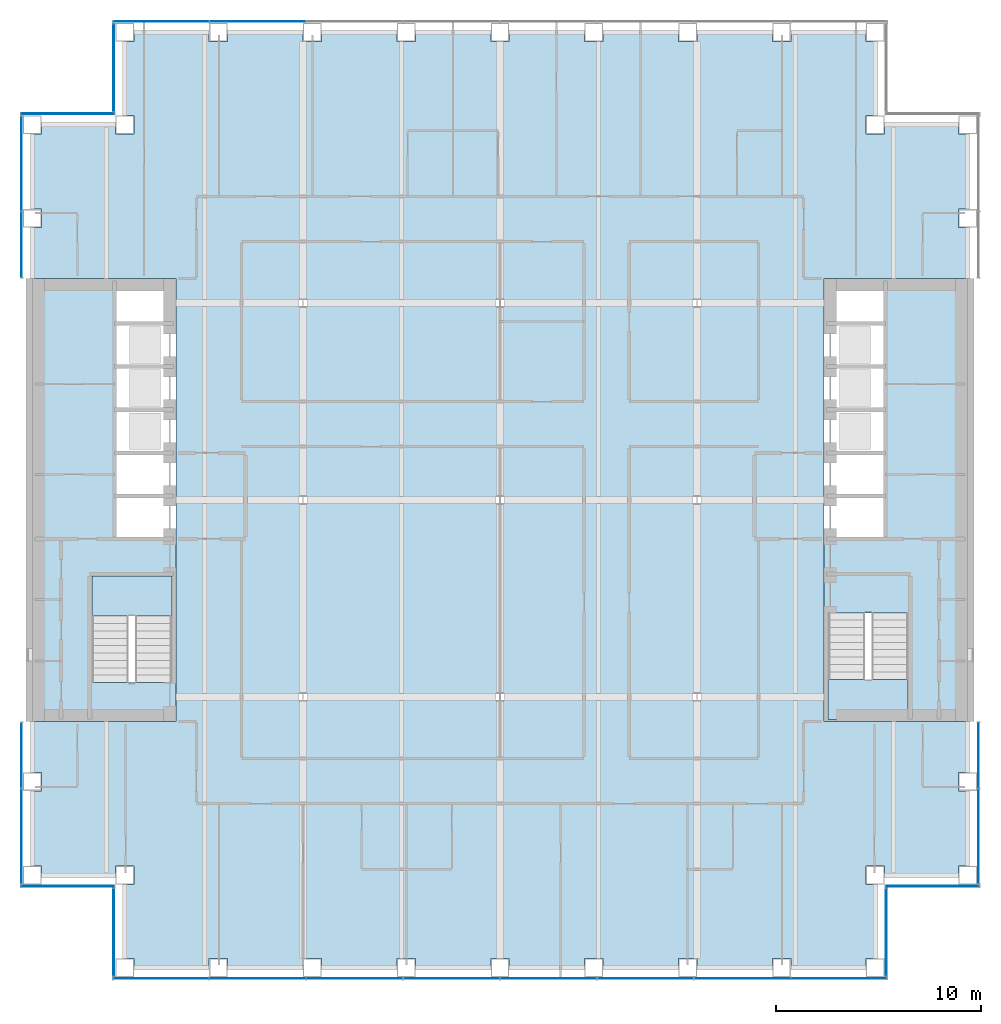
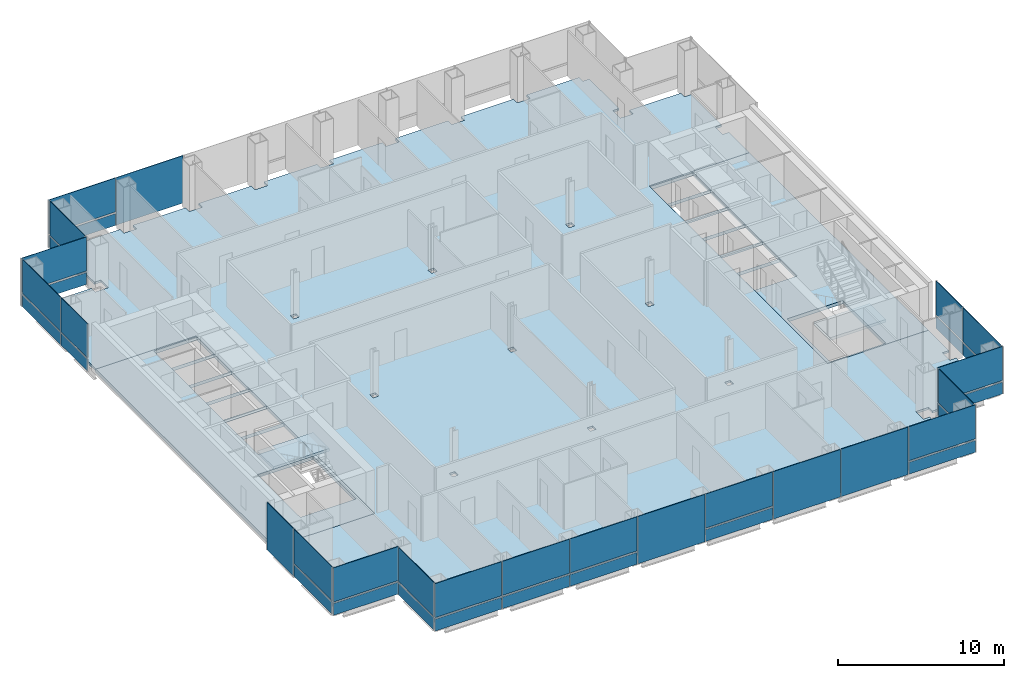
# One storey, part 9 of 16: 39 plates, 5 slabs, 13 elements without a shape of their own.
"""IFC4 building model written with IfcOpenShell, lengths in metres."""

from ifc_helpers import new_model, si_unit, direction, frame, origin, origin_2d, place, context, subcontext, project, spatial, polyline, rectangle, outline, extrude, material, layer, layer_set, type_object, element, aggregate, save


model = new_model("IFC4")

# Units and contexts
model_context = context("Model", 3, precision=1e-05, world=origin(), true_north=direction((0.0, 1.0)))
body_context = subcontext(model_context, "Body", "Model", "MODEL_VIEW")
ifc_project = project(units=[si_unit("LENGTHUNIT", "METRE"), si_unit("AREAUNIT", "SQUARE_METRE"), si_unit("VOLUMEUNIT", "CUBIC_METRE"), si_unit("PLANEANGLEUNIT", "RADIAN"), si_unit("MASSUNIT", "GRAM", prefix="KILO")], contexts=[model_context])

# Site, building, storey
site_placement = place(None, origin())
site = spatial("IfcSite", under=ifc_project, at=site_placement, CompositionType="ELEMENT")
building_placement = place(site_placement, origin())
building = spatial("IfcBuilding", under=site, at=building_placement, Name="Cobrizo Arcos Hotel Tower", CompositionType="ELEMENT")
storey_placement = place(building_placement, frame((0.0, 0.0, 113.5)))
storey = spatial("IfcBuildingStorey", under=building, at=storey_placement, Name="L28", CompositionType="ELEMENT", Elevation=113.5)

# Curtain wall, plates
ifc_material_1 = material(Name="Aluminium 6063-T6 anodised bronze", Category="aluminium")
curtain_wall_type = type_object("IfcCurtainWallType", Name="CW-A guest facade", PredefinedType="NOTDEFINED", material=ifc_material_1)
curtain_wall_1_placement = place(storey_placement, origin())
curtain_wall_1 = element("IfcCurtainWall", 1, at=curtain_wall_1_placement, inside=storey, type_object=curtain_wall_type, Name="CW-A L28 S face", PredefinedType="NOTDEFINED")
ifc_material_2 = material(Name="Glass clear laminated low-e", Category="glass")
ifc_layer_1 = layer(ifc_material_2, 0.0400390625)
ifc_layer_set_1 = layer_set([ifc_layer_1], Name="CW-A glass panel")
plate_type_1 = type_object("IfcPlateType", Name="CW-A glass panel", PredefinedType="CURTAIN_PANEL", material=ifc_layer_set_1)
plate_1_placement = place(storey_placement, frame((-16.5224609375, -23.324951171875, 0.990234375), z_axis=(0.0, 0.0, 1.0), x_axis=(1.0, 0.0, 0.0)))
plate_1 = element("IfcPlate", 2, at=plate_1_placement, type_object=plate_type_1, Name="CW-A glass panel 1075", PredefinedType="CURTAIN_PANEL", context=body_context, shape_type="SweptSolid", body=[
    extrude(rectangle(XDim=4.635009765625, YDim=0.0400390625, at=origin_2d()), origin(), (0.0, 0.0, 1.0), 2.510009765625),
])
plate_2_placement = place(storey_placement, frame((-11.8125, -23.324951171875, 0.990234375), z_axis=(0.0, 0.0, 1.0), x_axis=(1.0, 0.0, 0.0)))
plate_2 = element("IfcPlate", 3, at=plate_2_placement, type_object=plate_type_1, Name="CW-A glass panel 1076", PredefinedType="CURTAIN_PANEL", context=body_context, shape_type="SweptSolid", body=[
    extrude(rectangle(XDim=4.6650390625, YDim=0.0400390625, at=origin_2d()), origin(), (0.0, 0.0, 1.0), 2.510009765625),
])
plate_3_placement = place(storey_placement, frame((-7.08740234375, -23.324951171875, 0.990234375), z_axis=(0.0, 0.0, 1.0), x_axis=(1.0, 0.0, 0.0)))
plate_3 = element("IfcPlate", 4, at=plate_3_placement, type_object=plate_type_1, Name="CW-A glass panel 1077", PredefinedType="CURTAIN_PANEL", context=body_context, shape_type="SweptSolid", body=[
    extrude(rectangle(XDim=4.6650390625, YDim=0.0400390625, at=origin_2d()), origin(), (0.0, 0.0, 1.0), 2.510009765625),
])
plate_4_placement = place(storey_placement, frame((2.362548828125, -23.324951171875, 0.990234375), z_axis=(0.0, 0.0, 1.0), x_axis=(1.0, 0.0, 0.0)))
plate_4 = element("IfcPlate", 5, at=plate_4_placement, type_object=plate_type_1, Name="CW-A glass panel 1079", PredefinedType="CURTAIN_PANEL", context=body_context, shape_type="SweptSolid", body=[
    extrude(rectangle(XDim=4.6650390625, YDim=0.0400390625, at=origin_2d()), origin(), (0.0, 0.0, 1.0), 2.510009765625),
])
plate_5_placement = place(storey_placement, frame((16.5224609375, -23.324951171875, 0.990234375), z_axis=(0.0, 0.0, 1.0), x_axis=(1.0, 0.0, 0.0)))
plate_5 = element("IfcPlate", 6, at=plate_5_placement, type_object=plate_type_1, Name="CW-A glass panel 1082", PredefinedType="CURTAIN_PANEL", context=body_context, shape_type="SweptSolid", body=[
    extrude(rectangle(XDim=4.635009765625, YDim=0.0400390625, at=origin_2d()), origin(), (0.0, 0.0, 1.0), 2.510009765625),
])

# Curtain wall, plate
curtain_wall_2_placement = place(storey_placement, origin())
curtain_wall_2 = element("IfcCurtainWall", 7, at=curtain_wall_2_placement, inside=storey, type_object=curtain_wall_type, Name="CW-A L28 E face", PredefinedType="NOTDEFINED")
plate_6_placement = place(storey_placement, frame((18.824951171875, -21.074951171875, 0.990234375), z_axis=(0.0, 0.0, 1.0), x_axis=(0.0, 1.0, 0.0)))
plate_6 = element("IfcPlate", 8, at=plate_6_placement, type_object=plate_type_1, Name="CW-A glass panel 1083", PredefinedType="CURTAIN_PANEL", context=body_context, shape_type="SweptSolid", body=[
    extrude(rectangle(XDim=4.22998046875, YDim=0.0400390625, at=origin_2d()), origin(), (0.0, 0.0, 1.0), 2.510009765625),
])

curtain_wall_3_placement = place(storey_placement, origin())
curtain_wall_3 = element("IfcCurtainWall", 9, at=curtain_wall_3_placement, inside=storey, type_object=curtain_wall_type, Name="CW-A L28 S face", PredefinedType="NOTDEFINED")
plate_7_placement = place(storey_placement, frame((21.074951171875, -18.824951171875, 0.990234375), z_axis=(0.0, 0.0, 1.0), x_axis=(1.0, 0.0, 0.0)))
plate_7 = element("IfcPlate", 10, at=plate_7_placement, type_object=plate_type_1, Name="CW-A glass panel 1084", PredefinedType="CURTAIN_PANEL", context=body_context, shape_type="SweptSolid", body=[
    extrude(rectangle(XDim=4.530029296875, YDim=0.0400390625, at=origin_2d()), origin(), (0.0, 0.0, 1.0), 2.510009765625),
])

# Curtain wall, plates
curtain_wall_4_placement = place(storey_placement, origin())
curtain_wall_4 = element("IfcCurtainWall", 11, at=curtain_wall_4_placement, inside=storey, type_object=curtain_wall_type, Name="CW-A L28 E face", PredefinedType="NOTDEFINED")
plate_8_placement = place(storey_placement, frame((23.324951171875, -16.391357421875, 0.990234375), z_axis=(0.0, 0.0, 1.0), x_axis=(0.0, 1.0, 0.0)))
plate_8 = element("IfcPlate", 12, at=plate_8_placement, type_object=plate_type_1, Name="CW-A glass panel 1085", PredefinedType="CURTAIN_PANEL", context=body_context, shape_type="SweptSolid", body=[
    extrude(rectangle(XDim=4.597412109375, YDim=0.0400390625, at=origin_2d()), origin(), (0.0, 0.0, 1.0), 2.510009765625),
])
plate_9_placement = place(storey_placement, frame((23.324951171875, -12.4462890625, 0.990234375), z_axis=(0.0, 0.0, 1.0), x_axis=(0.0, 1.0, 0.0)))
plate_9 = element("IfcPlate", 13, at=plate_9_placement, type_object=plate_type_1, Name="CW-A glass panel 1086", PredefinedType="CURTAIN_PANEL", context=body_context, shape_type="SweptSolid", body=[
    extrude(rectangle(XDim=3.172607421875, YDim=0.0400390625, at=origin_2d()), origin(), (0.0, 0.0, 1.0), 2.510009765625),
])

# Curtain wall, plate
curtain_wall_5_placement = place(storey_placement, origin())
curtain_wall_5 = element("IfcCurtainWall", 14, at=curtain_wall_5_placement, inside=storey, type_object=curtain_wall_type, Name="CW-A L28 N face", PredefinedType="NOTDEFINED")
plate_10_placement = place(storey_placement, frame((-16.5224609375, 23.324951171875, 0.990234375), z_axis=(0.0, 0.0, 1.0), x_axis=(-1.0, 0.0, 0.0)))
plate_10 = element("IfcPlate", 15, at=plate_10_placement, type_object=plate_type_1, Name="CW-A glass panel 1098", PredefinedType="CURTAIN_PANEL", context=body_context, shape_type="SweptSolid", body=[
    extrude(rectangle(XDim=4.635009765625, YDim=0.0400390625, at=origin_2d()), origin(), (0.0, 0.0, 1.0), 2.510009765625),
])

curtain_wall_6_placement = place(storey_placement, origin())
curtain_wall_6 = element("IfcCurtainWall", 16, at=curtain_wall_6_placement, inside=storey, type_object=curtain_wall_type, Name="CW-A L28 W face", PredefinedType="NOTDEFINED")
plate_11_placement = place(storey_placement, frame((-18.824951171875, 21.074951171875, 0.990234375), z_axis=(0.0, 0.0, 1.0), x_axis=(0.0, -1.0, 0.0)))
plate_11 = element("IfcPlate", 17, at=plate_11_placement, type_object=plate_type_1, Name="CW-A glass panel 1099", PredefinedType="CURTAIN_PANEL", context=body_context, shape_type="SweptSolid", body=[
    extrude(rectangle(XDim=4.22998046875, YDim=0.0400390625, at=origin_2d()), origin(), (0.0, 0.0, 1.0), 2.510009765625),
])

curtain_wall_7_placement = place(storey_placement, origin())
curtain_wall_7 = element("IfcCurtainWall", 18, at=curtain_wall_7_placement, inside=storey, type_object=curtain_wall_type, Name="CW-A L28 N face", PredefinedType="NOTDEFINED")
plate_12_placement = place(storey_placement, frame((-21.074951171875, 18.824951171875, 0.990234375), z_axis=(0.0, 0.0, 1.0), x_axis=(-1.0, 0.0, 0.0)))
plate_12 = element("IfcPlate", 19, at=plate_12_placement, type_object=plate_type_1, Name="CW-A glass panel 1100", PredefinedType="CURTAIN_PANEL", context=body_context, shape_type="SweptSolid", body=[
    extrude(rectangle(XDim=4.530029296875, YDim=0.0400390625, at=origin_2d()), origin(), (0.0, 0.0, 1.0), 2.510009765625),
])

# Curtain wall, plates
curtain_wall_8_placement = place(storey_placement, origin())
curtain_wall_8 = element("IfcCurtainWall", 20, at=curtain_wall_8_placement, inside=storey, type_object=curtain_wall_type, Name="CW-A L28 W face", PredefinedType="NOTDEFINED")
plate_13_placement = place(storey_placement, frame((-23.324951171875, 16.391357421875, 0.990234375), z_axis=(0.0, 0.0, 1.0), x_axis=(0.0, -1.0, 0.0)))
plate_13 = element("IfcPlate", 21, at=plate_13_placement, type_object=plate_type_1, Name="CW-A glass panel 1101", PredefinedType="CURTAIN_PANEL", context=body_context, shape_type="SweptSolid", body=[
    extrude(rectangle(XDim=4.597412109375, YDim=0.0400390625, at=origin_2d()), origin(), (0.0, 0.0, 1.0), 2.510009765625),
])
plate_14_placement = place(storey_placement, frame((-23.324951171875, 12.4462890625, 0.990234375), z_axis=(0.0, 0.0, 1.0), x_axis=(0.0, -1.0, 0.0)))
plate_14 = element("IfcPlate", 22, at=plate_14_placement, type_object=plate_type_1, Name="CW-A glass panel 1102", PredefinedType="CURTAIN_PANEL", context=body_context, shape_type="SweptSolid", body=[
    extrude(rectangle(XDim=3.172607421875, YDim=0.0400390625, at=origin_2d()), origin(), (0.0, 0.0, 1.0), 2.510009765625),
])

# Curtain wall, plate
curtain_wall_9_placement = place(storey_placement, origin())
curtain_wall_9 = element("IfcCurtainWall", 23, at=curtain_wall_9_placement, inside=storey, type_object=curtain_wall_type, Name="CW-A L28 W face", PredefinedType="NOTDEFINED")
plate_15_placement = place(storey_placement, frame((-23.324951171875, -16.391357421875, 0.990234375), z_axis=(0.0, 0.0, 1.0), x_axis=(0.0, -1.0, 0.0)))
plate_15 = element("IfcPlate", 24, at=plate_15_placement, type_object=plate_type_1, Name="CW-A glass panel 1104", PredefinedType="CURTAIN_PANEL", context=body_context, shape_type="SweptSolid", body=[
    extrude(rectangle(XDim=4.597412109375, YDim=0.0400390625, at=origin_2d()), origin(), (0.0, 0.0, 1.0), 2.510009765625),
])

curtain_wall_10_placement = place(storey_placement, origin())
curtain_wall_10 = element("IfcCurtainWall", 25, at=curtain_wall_10_placement, inside=storey, type_object=curtain_wall_type, Name="CW-A L28 S face", PredefinedType="NOTDEFINED")
plate_16_placement = place(storey_placement, frame((-21.074951171875, -18.824951171875, 0.990234375), z_axis=(0.0, 0.0, 1.0), x_axis=(1.0, 0.0, 0.0)))
plate_16 = element("IfcPlate", 26, at=plate_16_placement, type_object=plate_type_1, Name="CW-A glass panel 1105", PredefinedType="CURTAIN_PANEL", context=body_context, shape_type="SweptSolid", body=[
    extrude(rectangle(XDim=4.530029296875, YDim=0.0400390625, at=origin_2d()), origin(), (0.0, 0.0, 1.0), 2.510009765625),
])

curtain_wall_11_placement = place(storey_placement, origin())
curtain_wall_11 = element("IfcCurtainWall", 27, at=curtain_wall_11_placement, inside=storey, type_object=curtain_wall_type, Name="CW-A L28 W face", PredefinedType="NOTDEFINED")
plate_17_placement = place(storey_placement, frame((-18.824951171875, -21.074951171875, 0.990234375), z_axis=(0.0, 0.0, 1.0), x_axis=(0.0, -1.0, 0.0)))
plate_17 = element("IfcPlate", 28, at=plate_17_placement, type_object=plate_type_1, Name="CW-A glass panel 1106", PredefinedType="CURTAIN_PANEL", context=body_context, shape_type="SweptSolid", body=[
    extrude(rectangle(XDim=4.22998046875, YDim=0.0400390625, at=origin_2d()), origin(), (0.0, 0.0, 1.0), 2.510009765625),
])

# Plate
ifc_material_3 = material(Name="Aluminium composite panel pale metal", Category="aluminium")
ifc_layer_2 = layer(ifc_material_3, 0.0400390625)
ifc_layer_set_2 = layer_set([ifc_layer_2], Name="CW-A spandrel panel")
plate_type_2 = type_object("IfcPlateType", Name="CW-A spandrel panel", PredefinedType="CURTAIN_PANEL", material=ifc_layer_set_2)
plate_18_placement = place(storey_placement, frame((-16.5224609375, -23.324951171875, 0.0), z_axis=(0.0, 0.0, 1.0), x_axis=(1.0, 0.0, 0.0)))
plate_18 = element("IfcPlate", 29, at=plate_18_placement, type_object=plate_type_2, Name="CW-A spandrel panel 1075", PredefinedType="CURTAIN_PANEL", context=body_context, shape_type="SweptSolid", body=[
    extrude(rectangle(XDim=4.635009765625, YDim=0.0400390625, at=origin_2d()), origin(), (0.0, 0.0, 1.0), 0.8701171875),
])

plate_19_placement = place(storey_placement, frame((-11.8125, -23.324951171875, 0.0), z_axis=(0.0, 0.0, 1.0), x_axis=(1.0, 0.0, 0.0)))
plate_19 = element("IfcPlate", 30, at=plate_19_placement, type_object=plate_type_2, Name="CW-A spandrel panel 1076", PredefinedType="CURTAIN_PANEL", context=body_context, shape_type="SweptSolid", body=[
    extrude(rectangle(XDim=4.6650390625, YDim=0.0400390625, at=origin_2d()), origin(), (0.0, 0.0, 1.0), 0.8701171875),
])

plate_20_placement = place(storey_placement, frame((-7.08740234375, -23.324951171875, 0.0), z_axis=(0.0, 0.0, 1.0), x_axis=(1.0, 0.0, 0.0)))
plate_20 = element("IfcPlate", 31, at=plate_20_placement, type_object=plate_type_2, Name="CW-A spandrel panel 1077", PredefinedType="CURTAIN_PANEL", context=body_context, shape_type="SweptSolid", body=[
    extrude(rectangle(XDim=4.6650390625, YDim=0.0400390625, at=origin_2d()), origin(), (0.0, 0.0, 1.0), 0.8701171875),
])

plate_21_placement = place(storey_placement, frame((-2.362548828125, -23.324951171875, 0.0), z_axis=(0.0, 0.0, 1.0), x_axis=(1.0, 0.0, 0.0)))
plate_21 = element("IfcPlate", 32, at=plate_21_placement, type_object=plate_type_2, Name="CW-A spandrel panel 1078", PredefinedType="CURTAIN_PANEL", context=body_context, shape_type="SweptSolid", body=[
    extrude(rectangle(XDim=4.6650390625, YDim=0.0400390625, at=origin_2d()), origin(), (0.0, 0.0, 1.0), 3.5),
])

plate_22_placement = place(storey_placement, frame((2.362548828125, -23.324951171875, 0.0), z_axis=(0.0, 0.0, 1.0), x_axis=(1.0, 0.0, 0.0)))
plate_22 = element("IfcPlate", 33, at=plate_22_placement, type_object=plate_type_2, Name="CW-A spandrel panel 1079", PredefinedType="CURTAIN_PANEL", context=body_context, shape_type="SweptSolid", body=[
    extrude(rectangle(XDim=4.6650390625, YDim=0.0400390625, at=origin_2d()), origin(), (0.0, 0.0, 1.0), 0.8701171875),
])

plate_23_placement = place(storey_placement, frame((7.08740234375, -23.324951171875, 0.0), z_axis=(0.0, 0.0, 1.0), x_axis=(1.0, 0.0, 0.0)))
plate_23 = element("IfcPlate", 34, at=plate_23_placement, type_object=plate_type_2, Name="CW-A spandrel panel 1080", PredefinedType="CURTAIN_PANEL", context=body_context, shape_type="SweptSolid", body=[
    extrude(rectangle(XDim=4.6650390625, YDim=0.0400390625, at=origin_2d()), origin(), (0.0, 0.0, 1.0), 3.5),
])

plate_24_placement = place(storey_placement, frame((11.8125, -23.324951171875, 0.0), z_axis=(0.0, 0.0, 1.0), x_axis=(1.0, 0.0, 0.0)))
plate_24 = element("IfcPlate", 35, at=plate_24_placement, type_object=plate_type_2, Name="CW-A spandrel panel 1081", PredefinedType="CURTAIN_PANEL", context=body_context, shape_type="SweptSolid", body=[
    extrude(rectangle(XDim=4.6650390625, YDim=0.0400390625, at=origin_2d()), origin(), (0.0, 0.0, 1.0), 3.5),
])

plate_25_placement = place(storey_placement, frame((16.5224609375, -23.324951171875, 0.0), z_axis=(0.0, 0.0, 1.0), x_axis=(1.0, 0.0, 0.0)))
plate_25 = element("IfcPlate", 36, at=plate_25_placement, type_object=plate_type_2, Name="CW-A spandrel panel 1082", PredefinedType="CURTAIN_PANEL", context=body_context, shape_type="SweptSolid", body=[
    extrude(rectangle(XDim=4.635009765625, YDim=0.0400390625, at=origin_2d()), origin(), (0.0, 0.0, 1.0), 0.8701171875),
])

aggregate(curtain_wall_1, [plate_18, plate_1, plate_19, plate_2, plate_20, plate_3, plate_21, plate_22, plate_4, plate_23, plate_24, plate_25, plate_5])

plate_26_placement = place(storey_placement, frame((18.824951171875, -21.074951171875, 0.0), z_axis=(0.0, 0.0, 1.0), x_axis=(0.0, 1.0, 0.0)))
plate_26 = element("IfcPlate", 37, at=plate_26_placement, type_object=plate_type_2, Name="CW-A spandrel panel 1083", PredefinedType="CURTAIN_PANEL", context=body_context, shape_type="SweptSolid", body=[
    extrude(rectangle(XDim=4.22998046875, YDim=0.0400390625, at=origin_2d()), origin(), (0.0, 0.0, 1.0), 0.8701171875),
])

aggregate(curtain_wall_2, [plate_26, plate_6])

plate_27_placement = place(storey_placement, frame((21.074951171875, -18.824951171875, 0.0), z_axis=(0.0, 0.0, 1.0), x_axis=(1.0, 0.0, 0.0)))
plate_27 = element("IfcPlate", 38, at=plate_27_placement, type_object=plate_type_2, Name="CW-A spandrel panel 1084", PredefinedType="CURTAIN_PANEL", context=body_context, shape_type="SweptSolid", body=[
    extrude(rectangle(XDim=4.530029296875, YDim=0.0400390625, at=origin_2d()), origin(), (0.0, 0.0, 1.0), 0.8701171875),
])

aggregate(curtain_wall_3, [plate_27, plate_7])

plate_28_placement = place(storey_placement, frame((23.324951171875, -16.391357421875, 0.0), z_axis=(0.0, 0.0, 1.0), x_axis=(0.0, 1.0, 0.0)))
plate_28 = element("IfcPlate", 39, at=plate_28_placement, type_object=plate_type_2, Name="CW-A spandrel panel 1085", PredefinedType="CURTAIN_PANEL", context=body_context, shape_type="SweptSolid", body=[
    extrude(rectangle(XDim=4.597412109375, YDim=0.0400390625, at=origin_2d()), origin(), (0.0, 0.0, 1.0), 0.8701171875),
])

plate_29_placement = place(storey_placement, frame((23.324951171875, -12.4462890625, 0.0), z_axis=(0.0, 0.0, 1.0), x_axis=(0.0, 1.0, 0.0)))
plate_29 = element("IfcPlate", 40, at=plate_29_placement, type_object=plate_type_2, Name="CW-A spandrel panel 1086", PredefinedType="CURTAIN_PANEL", context=body_context, shape_type="SweptSolid", body=[
    extrude(rectangle(XDim=3.172607421875, YDim=0.0400390625, at=origin_2d()), origin(), (0.0, 0.0, 1.0), 0.8701171875),
])

aggregate(curtain_wall_4, [plate_28, plate_8, plate_29, plate_9])

plate_30_placement = place(storey_placement, frame((-11.8125, 23.324951171875, 0.0), z_axis=(0.0, 0.0, 1.0), x_axis=(-1.0, 0.0, 0.0)))
plate_30 = element("IfcPlate", 41, at=plate_30_placement, type_object=plate_type_2, Name="CW-A spandrel panel 1097", PredefinedType="CURTAIN_PANEL", context=body_context, shape_type="SweptSolid", body=[
    extrude(rectangle(XDim=4.6650390625, YDim=0.0400390625, at=origin_2d()), origin(), (0.0, 0.0, 1.0), 3.5),
])

plate_31_placement = place(storey_placement, frame((-16.5224609375, 23.324951171875, 0.0), z_axis=(0.0, 0.0, 1.0), x_axis=(-1.0, 0.0, 0.0)))
plate_31 = element("IfcPlate", 42, at=plate_31_placement, type_object=plate_type_2, Name="CW-A spandrel panel 1098", PredefinedType="CURTAIN_PANEL", context=body_context, shape_type="SweptSolid", body=[
    extrude(rectangle(XDim=4.635009765625, YDim=0.0400390625, at=origin_2d()), origin(), (0.0, 0.0, 1.0), 0.8701171875),
])

aggregate(curtain_wall_5, [plate_30, plate_31, plate_10])

plate_32_placement = place(storey_placement, frame((-18.824951171875, 21.074951171875, 0.0), z_axis=(0.0, 0.0, 1.0), x_axis=(0.0, -1.0, 0.0)))
plate_32 = element("IfcPlate", 43, at=plate_32_placement, type_object=plate_type_2, Name="CW-A spandrel panel 1099", PredefinedType="CURTAIN_PANEL", context=body_context, shape_type="SweptSolid", body=[
    extrude(rectangle(XDim=4.22998046875, YDim=0.0400390625, at=origin_2d()), origin(), (0.0, 0.0, 1.0), 0.8701171875),
])

aggregate(curtain_wall_6, [plate_32, plate_11])

plate_33_placement = place(storey_placement, frame((-21.074951171875, 18.824951171875, 0.0), z_axis=(0.0, 0.0, 1.0), x_axis=(-1.0, 0.0, 0.0)))
plate_33 = element("IfcPlate", 44, at=plate_33_placement, type_object=plate_type_2, Name="CW-A spandrel panel 1100", PredefinedType="CURTAIN_PANEL", context=body_context, shape_type="SweptSolid", body=[
    extrude(rectangle(XDim=4.530029296875, YDim=0.0400390625, at=origin_2d()), origin(), (0.0, 0.0, 1.0), 0.8701171875),
])

aggregate(curtain_wall_7, [plate_33, plate_12])

plate_34_placement = place(storey_placement, frame((-23.324951171875, 16.391357421875, 0.0), z_axis=(0.0, 0.0, 1.0), x_axis=(0.0, -1.0, 0.0)))
plate_34 = element("IfcPlate", 45, at=plate_34_placement, type_object=plate_type_2, Name="CW-A spandrel panel 1101", PredefinedType="CURTAIN_PANEL", context=body_context, shape_type="SweptSolid", body=[
    extrude(rectangle(XDim=4.597412109375, YDim=0.0400390625, at=origin_2d()), origin(), (0.0, 0.0, 1.0), 0.8701171875),
])

plate_35_placement = place(storey_placement, frame((-23.324951171875, 12.4462890625, 0.0), z_axis=(0.0, 0.0, 1.0), x_axis=(0.0, -1.0, 0.0)))
plate_35 = element("IfcPlate", 46, at=plate_35_placement, type_object=plate_type_2, Name="CW-A spandrel panel 1102", PredefinedType="CURTAIN_PANEL", context=body_context, shape_type="SweptSolid", body=[
    extrude(rectangle(XDim=3.172607421875, YDim=0.0400390625, at=origin_2d()), origin(), (0.0, 0.0, 1.0), 0.8701171875),
])

aggregate(curtain_wall_8, [plate_34, plate_13, plate_35, plate_14])

plate_36_placement = place(storey_placement, frame((-23.324951171875, -12.4462890625, 0.0), z_axis=(0.0, 0.0, 1.0), x_axis=(0.0, -1.0, 0.0)))
plate_36 = element("IfcPlate", 47, at=plate_36_placement, type_object=plate_type_2, Name="CW-A spandrel panel 1103", PredefinedType="CURTAIN_PANEL", context=body_context, shape_type="SweptSolid", body=[
    extrude(rectangle(XDim=3.172607421875, YDim=0.0400390625, at=origin_2d()), origin(), (0.0, 0.0, 1.0), 3.5),
])

plate_37_placement = place(storey_placement, frame((-23.324951171875, -16.391357421875, 0.0), z_axis=(0.0, 0.0, 1.0), x_axis=(0.0, -1.0, 0.0)))
plate_37 = element("IfcPlate", 48, at=plate_37_placement, type_object=plate_type_2, Name="CW-A spandrel panel 1104", PredefinedType="CURTAIN_PANEL", context=body_context, shape_type="SweptSolid", body=[
    extrude(rectangle(XDim=4.597412109375, YDim=0.0400390625, at=origin_2d()), origin(), (0.0, 0.0, 1.0), 0.8701171875),
])

aggregate(curtain_wall_9, [plate_36, plate_37, plate_15])

plate_38_placement = place(storey_placement, frame((-21.074951171875, -18.824951171875, 0.0), z_axis=(0.0, 0.0, 1.0), x_axis=(1.0, 0.0, 0.0)))
plate_38 = element("IfcPlate", 49, at=plate_38_placement, type_object=plate_type_2, Name="CW-A spandrel panel 1105", PredefinedType="CURTAIN_PANEL", context=body_context, shape_type="SweptSolid", body=[
    extrude(rectangle(XDim=4.530029296875, YDim=0.0400390625, at=origin_2d()), origin(), (0.0, 0.0, 1.0), 0.8701171875),
])

aggregate(curtain_wall_10, [plate_38, plate_16])

plate_39_placement = place(storey_placement, frame((-18.824951171875, -21.074951171875, 0.0), z_axis=(0.0, 0.0, 1.0), x_axis=(0.0, -1.0, 0.0)))
plate_39 = element("IfcPlate", 50, at=plate_39_placement, type_object=plate_type_2, Name="CW-A spandrel panel 1106", PredefinedType="CURTAIN_PANEL", context=body_context, shape_type="SweptSolid", body=[
    extrude(rectangle(XDim=4.22998046875, YDim=0.0400390625, at=origin_2d()), origin(), (0.0, 0.0, 1.0), 0.8701171875),
])

aggregate(curtain_wall_11, [plate_39, plate_17])

# Slabs
ifc_material_4 = material(Name="Concrete f'c 35 MPa", Category="concrete")
ifc_layer_3 = layer(ifc_material_4, 0.14990234375)
ifc_layer_set_3 = layer_set([ifc_layer_3], Name="Composite floor slab 150 f'c 35")
slab_type_1 = type_object("IfcSlabType", Name="Composite floor slab 150 f'c 35", PredefinedType="FLOOR", material=ifc_layer_set_3)
slab_1_placement = place(storey_placement, frame((0.0, 0.0, -0.14990234375)))
element("IfcSlab", 51, at=slab_1_placement, inside=storey, type_object=slab_type_1, Name="Floor slab S5, L28, no. 01", PredefinedType="FLOOR", context=body_context, shape_type="SweptSolid", body=[
    extrude(outline(polyline([(-17.85009765625, -22.800048828125), (-17.85009765625, -22.35009765625), (-18.300048828125, -22.35009765625), (-18.300048828125, -18.75), (-17.85009765625, -18.75), (-17.85009765625, -17.85009765625), (-18.75, -17.85009765625), (-18.75, -18.300048828125), (-22.35009765625, -18.300048828125), (-22.35009765625, -17.85009765625), (-22.800048828125, -17.85009765625), (-22.800048828125, -14.175048828125), (-22.35009765625, -14.175048828125), (-22.35009765625, -13.27490234375), (-22.800048828125, -13.27490234375), (-22.800048828125, -10.800048828125), (-15.800048828125, -10.800048828125), (-15.800048828125, 10.800048828125), (-22.800048828125, 10.800048828125), (-22.800048828125, 13.27490234375), (-22.35009765625, 13.27490234375), (-22.35009765625, 14.175048828125), (-22.800048828125, 14.175048828125), (-22.800048828125, 17.85009765625), (-22.35009765625, 17.85009765625), (-22.35009765625, 18.300048828125), (-18.75, 18.300048828125), (-18.75, 17.85009765625), (-17.85009765625, 17.85009765625), (-17.85009765625, 18.75), (-18.300048828125, 18.75), (-18.300048828125, 22.35009765625), (-17.85009765625, 22.35009765625), (-17.85009765625, 22.800048828125), (-14.175048828125, 22.800048828125), (-14.175048828125, 22.35009765625), (-13.27490234375, 22.35009765625), (-13.27490234375, 22.800048828125), (-9.60009765625, 22.800048828125), (-9.60009765625, 22.35009765625), (-8.699951171875, 22.35009765625), (-8.699951171875, 22.800048828125), (-5.02490234375, 22.800048828125), (-5.02490234375, 22.35009765625), (-4.125, 22.35009765625), (-4.125, 22.800048828125), (-0.449951171875, 22.800048828125), (-0.449951171875, 22.35009765625), (0.449951171875, 22.35009765625), (0.449951171875, 22.800048828125), (4.125, 22.800048828125), (4.125, 22.35009765625), (5.02490234375, 22.35009765625), (5.02490234375, 22.800048828125), (8.699951171875, 22.800048828125), (8.699951171875, 22.35009765625), (9.60009765625, 22.35009765625), (9.60009765625, 22.800048828125), (13.27490234375, 22.800048828125), (13.27490234375, 22.35009765625), (14.175048828125, 22.35009765625), (14.175048828125, 22.800048828125), (17.85009765625, 22.800048828125), (17.85009765625, 22.35009765625), (18.300048828125, 22.35009765625), (18.300048828125, 18.75), (17.85009765625, 18.75), (17.85009765625, 17.85009765625), (18.75, 17.85009765625), (18.75, 18.300048828125), (22.35009765625, 18.300048828125), (22.35009765625, 17.85009765625), (22.800048828125, 17.85009765625), (22.800048828125, 14.175048828125), (22.35009765625, 14.175048828125), (22.35009765625, 13.27490234375), (22.800048828125, 13.27490234375), (22.800048828125, 10.800048828125), (15.800048828125, 10.800048828125), (15.800048828125, -10.800048828125), (22.800048828125, -10.800048828125), (22.800048828125, -13.27490234375), (22.35009765625, -13.27490234375), (22.35009765625, -14.175048828125), (22.800048828125, -14.175048828125), (22.800048828125, -17.85009765625), (22.35009765625, -17.85009765625), (22.35009765625, -18.300048828125), (18.75, -18.300048828125), (18.75, -17.85009765625), (17.85009765625, -17.85009765625), (17.85009765625, -18.75), (18.300048828125, -18.75), (18.300048828125, -22.35009765625), (17.85009765625, -22.35009765625), (17.85009765625, -22.800048828125), (14.175048828125, -22.800048828125), (14.175048828125, -22.35009765625), (13.27490234375, -22.35009765625), (13.27490234375, -22.800048828125), (9.60009765625, -22.800048828125), (9.60009765625, -22.35009765625), (8.699951171875, -22.35009765625), (8.699951171875, -22.800048828125), (5.02490234375, -22.800048828125), (5.02490234375, -22.35009765625), (4.125, -22.35009765625), (4.125, -22.800048828125), (0.449951171875, -22.800048828125), (0.449951171875, -22.35009765625), (-0.449951171875, -22.35009765625), (-0.449951171875, -22.800048828125), (-4.125, -22.800048828125), (-4.125, -22.35009765625), (-5.02490234375, -22.35009765625), (-5.02490234375, -22.800048828125), (-8.699951171875, -22.800048828125), (-8.699951171875, -22.35009765625), (-9.60009765625, -22.35009765625), (-9.60009765625, -22.800048828125), (-13.27490234375, -22.800048828125), (-13.27490234375, -22.35009765625), (-14.175048828125, -22.35009765625), (-14.175048828125, -22.800048828125), (-17.85009765625, -22.800048828125)]), holes=[polyline([(-9.400634765625, -9.79931640625), (-9.400634765625, -9.400634765625), (-9.79931640625, -9.400634765625), (-9.79931640625, -9.79931640625), (-9.400634765625, -9.79931640625)]), polyline([(-9.400634765625, -0.199462890625), (-9.400634765625, 0.199462890625), (-9.79931640625, 0.199462890625), (-9.79931640625, -0.199462890625), (-9.400634765625, -0.199462890625)]), polyline([(-9.79931640625, 9.400634765625), (-9.400634765625, 9.400634765625), (-9.400634765625, 9.79931640625), (-9.79931640625, 9.79931640625), (-9.79931640625, 9.400634765625)]), polyline([(-0.199462890625, -9.79931640625), (0.199462890625, -9.79931640625), (0.199462890625, -9.400634765625), (-0.199462890625, -9.400634765625), (-0.199462890625, -9.79931640625)]), polyline([(0.199462890625, -0.199462890625), (0.199462890625, 0.199462890625), (-0.199462890625, 0.199462890625), (-0.199462890625, -0.199462890625), (0.199462890625, -0.199462890625)]), polyline([(0.199462890625, 9.400634765625), (0.199462890625, 9.79931640625), (-0.199462890625, 9.79931640625), (-0.199462890625, 9.400634765625), (0.199462890625, 9.400634765625)]), polyline([(9.79931640625, 9.400634765625), (9.79931640625, 9.79931640625), (9.400634765625, 9.79931640625), (9.400634765625, 9.400634765625), (9.79931640625, 9.400634765625)]), polyline([(9.400634765625, -9.79931640625), (9.79931640625, -9.79931640625), (9.79931640625, -9.400634765625), (9.400634765625, -9.400634765625), (9.400634765625, -9.79931640625)]), polyline([(9.400634765625, -0.199462890625), (9.79931640625, -0.199462890625), (9.79931640625, 0.199462890625), (9.400634765625, 0.199462890625), (9.400634765625, -0.199462890625)])]), origin(), (0.0, 0.0, 1.0), 0.14990234375),
])
ifc_material_5 = material(Name="Concrete f'c 50 MPa", Category="concrete")
ifc_layer_4 = layer(ifc_material_5, 0.25)
ifc_layer_set_4 = layer_set([ifc_layer_4], Name="RC core floor slab 250 f'c 50")
slab_type_2 = type_object("IfcSlabType", Name="RC core floor slab 250 f'c 50", PredefinedType="FLOOR", material=ifc_layer_set_4)
slab_2_placement = place(storey_placement, frame((0.0, 0.0, -0.25)))
element("IfcSlab", 52, at=slab_2_placement, inside=storey, type_object=slab_type_2, Name="Core floor slab CS5, east core, L28", PredefinedType="FLOOR", context=body_context, shape_type="SweptSolid", body=[
    extrude(outline(polyline([(15.800048828125, 10.800048828125), (22.800048828125, 10.800048828125), (22.800048828125, -10.800048828125), (15.800048828125, -10.800048828125), (15.800048828125, 10.800048828125)]), holes=[polyline([(19.89794921875, -10.697998046875), (19.89794921875, -5.501953125), (16.001953125, -5.501953125), (16.001953125, -10.697998046875), (19.89794921875, -10.697998046875)]), polyline([(15.802001953125, 0.197998046875), (15.802001953125, -1.89794921875), (18.798095703125, -1.89794921875), (18.798095703125, 0.197998046875), (15.802001953125, 0.197998046875)]), polyline([(18.798095703125, 2.298095703125), (15.802001953125, 2.298095703125), (15.802001953125, 0.201904296875), (18.798095703125, 0.201904296875), (18.798095703125, 2.298095703125)]), polyline([(18.798095703125, 4.39794921875), (15.802001953125, 4.39794921875), (15.802001953125, 2.302001953125), (18.798095703125, 2.302001953125), (18.798095703125, 4.39794921875)]), polyline([(15.802001953125, 6.498046875), (15.802001953125, 4.402099609375), (18.798095703125, 4.402099609375), (18.798095703125, 6.498046875), (15.802001953125, 6.498046875)]), polyline([(18.798095703125, 8.597900390625), (15.802001953125, 8.597900390625), (15.802001953125, 6.501953125), (18.798095703125, 6.501953125), (18.798095703125, 8.597900390625)]), polyline([(18.798095703125, 10.697998046875), (15.802001953125, 10.697998046875), (15.802001953125, 8.60205078125), (18.798095703125, 8.60205078125), (18.798095703125, 10.697998046875)])]), origin(), (0.0, 0.0, 1.0), 0.25),
])
slab_3_placement = place(storey_placement, frame((0.0, 0.0, -0.25)))
element("IfcSlab", 53, at=slab_3_placement, inside=storey, type_object=slab_type_2, Name="Core floor slab CS5, west core, L28", PredefinedType="FLOOR", context=body_context, shape_type="SweptSolid", body=[
    extrude(outline(polyline([(-22.800048828125, 10.800048828125), (-15.800048828125, 10.800048828125), (-15.800048828125, -10.800048828125), (-22.800048828125, -10.800048828125), (-22.800048828125, 10.800048828125)]), holes=[polyline([(-19.89794921875, -3.701904296875), (-19.89794921875, -8.89794921875), (-16.001953125, -8.89794921875), (-16.001953125, -3.701904296875), (-19.89794921875, -3.701904296875)]), polyline([(-18.798095703125, 0.197998046875), (-18.798095703125, -1.89794921875), (-15.802001953125, -1.89794921875), (-15.802001953125, 0.197998046875), (-18.798095703125, 0.197998046875)]), polyline([(-15.802001953125, 2.298095703125), (-18.798095703125, 2.298095703125), (-18.798095703125, 0.201904296875), (-15.802001953125, 0.201904296875), (-15.802001953125, 2.298095703125)]), polyline([(-15.802001953125, 4.39794921875), (-18.798095703125, 4.39794921875), (-18.798095703125, 2.302001953125), (-15.802001953125, 2.302001953125), (-15.802001953125, 4.39794921875)]), polyline([(-18.798095703125, 6.498046875), (-18.798095703125, 4.402099609375), (-15.802001953125, 4.402099609375), (-15.802001953125, 6.498046875), (-18.798095703125, 6.498046875)]), polyline([(-15.802001953125, 8.597900390625), (-18.798095703125, 8.597900390625), (-18.798095703125, 6.501953125), (-15.802001953125, 6.501953125), (-15.802001953125, 8.597900390625)]), polyline([(-15.802001953125, 10.697998046875), (-18.798095703125, 10.697998046875), (-18.798095703125, 8.60205078125), (-15.802001953125, 8.60205078125), (-15.802001953125, 10.697998046875)])]), origin(), (0.0, 0.0, 1.0), 0.25),
])

# Stair, slab
ifc_material_6 = material(Name="Concrete f'c 40 MPa", Category="concrete")
stair_type = type_object("IfcStairType", Name="Exit stair", PredefinedType="HALF_TURN_STAIR", material=ifc_material_6)
stair_1_placement = place(storey_placement, origin())
stair_1 = element("IfcStair", 54, at=stair_1_placement, inside=storey, type_object=stair_type, Name="L28 Exit stair ST-W", PredefinedType="HALF_TURN_STAIR")
ifc_layer_5 = layer(ifc_material_6, 0.199951171875)
ifc_layer_set_5 = layer_set([ifc_layer_5], Name="Stair landing")
slab_type_3 = type_object("IfcSlabType", Name="Stair landing", PredefinedType="LANDING", material=ifc_layer_set_5)
slab_4_placement = place(storey_placement, frame((0.0, 0.0, 1.550048828125)))
slab_4 = element("IfcSlab", 55, at=slab_4_placement, type_object=slab_type_3, Name="ST-W landing 1", PredefinedType="LANDING", context=body_context, shape_type="SweptSolid", body=[
    extrude(outline(polyline([(-16.0, -5.659912109375), (-16.0, -3.699951171875), (-19.89990234375, -3.699951171875), (-19.89990234375, -5.659912109375), (-16.0, -5.659912109375)])), origin(), (0.0, 0.0, 1.0), 0.199951171875),
])
aggregate(stair_1, [slab_4])

stair_2_placement = place(storey_placement, origin())
stair_2 = element("IfcStair", 56, at=stair_2_placement, inside=storey, type_object=stair_type, Name="L28 Exit stair ST-E", PredefinedType="HALF_TURN_STAIR")
slab_5_placement = place(storey_placement, frame((0.0, 0.0, 1.550048828125)))
slab_5 = element("IfcSlab", 57, at=slab_5_placement, type_object=slab_type_3, Name="ST-E landing 1", PredefinedType="LANDING", context=body_context, shape_type="SweptSolid", body=[
    extrude(outline(polyline([(16.0, -8.739990234375), (16.0, -10.699951171875), (19.89990234375, -10.699951171875), (19.89990234375, -8.739990234375), (16.0, -8.739990234375)])), origin(), (0.0, 0.0, 1.0), 0.199951171875),
])
aggregate(stair_2, [slab_5])

save(model, "model.ifc")
